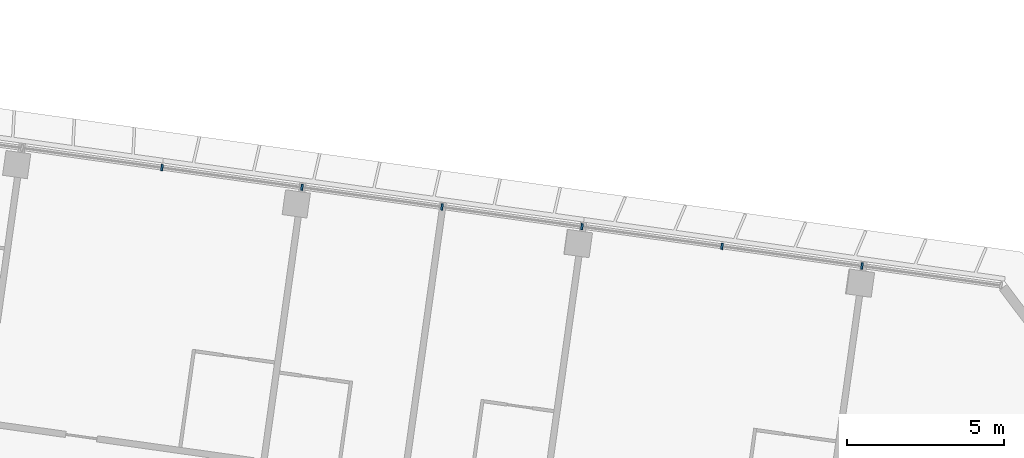
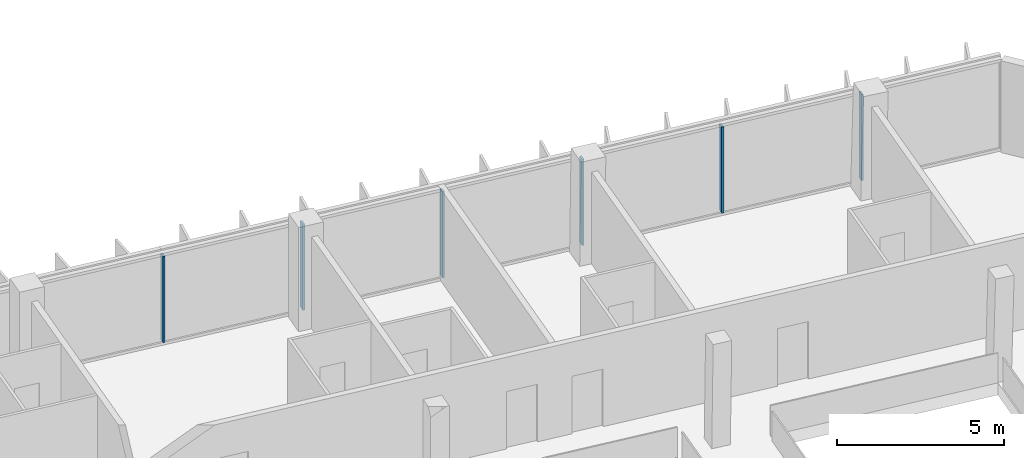
# One storey, part 5 of 28: 6 members, 1 element without a shape of its own.
"""IFC4 building model written with IfcOpenShell, lengths in metres."""

from ifc_helpers import new_model, si_unit, direction, frame, origin, origin_2d, place, context, subcontext, project, spatial, rectangle, extrude, material, material_profile, profile_set, type_object, element, aggregate, save


model = new_model("IFC4")

# Units and contexts
model_context = context("Model", 3, precision=1e-05, world=origin(), true_north=direction((0.0, 1.0)))
body_context = subcontext(model_context, "Body", "Model", "MODEL_VIEW")
ifc_project = project(units=[si_unit("LENGTHUNIT", "METRE"), si_unit("AREAUNIT", "SQUARE_METRE"), si_unit("VOLUMEUNIT", "CUBIC_METRE"), si_unit("PLANEANGLEUNIT", "RADIAN"), si_unit("MASSUNIT", "GRAM", prefix="KILO")], contexts=[model_context])

# Site, building, storey
site_placement = place(None, origin())
site = spatial("IfcSite", under=ifc_project, at=site_placement, CompositionType="ELEMENT")
building_placement = place(site_placement, origin())
building = spatial("IfcBuilding", under=site, at=building_placement, Name="Mirante Cascada Hotel Towers", CompositionType="ELEMENT")
storey_placement = place(building_placement, frame((0.0, 0.0, 165.0)))
storey = spatial("IfcBuildingStorey", under=building, at=storey_placement, Name="L38", CompositionType="ELEMENT", Elevation=165.0)

# Curtain wall, members
ifc_material_1 = material(Name="Aluminium mullion and transom frame with clear laminated glass", Category="aluminium")
curtain_wall_type = type_object("IfcCurtainWallType", Name="Ribbon curtain wall ECW1", PredefinedType="NOTDEFINED", material=ifc_material_1)
curtain_wall_placement = place(storey_placement, origin())
curtain_wall = element("IfcCurtainWall", 1, at=curtain_wall_placement, inside=storey, type_object=curtain_wall_type, Name="Front ribbon wall T1 L38", PredefinedType="NOTDEFINED")
ifc_material_2 = material(Name="Anodised aluminium extrusion", Category="aluminium")
ifc_material_profile = material_profile(ifc_material_2, rectangle(XDim=0.2, YDim=0.065, at=origin_2d()), Name="ECW1 MULLION 65x200")
ifc_profile_set = profile_set([ifc_material_profile], Name="Anodised aluminium extrusion")
member_type = type_object("IfcMemberType", Name="ECW1 mullion 65x200", PredefinedType="MULLION", material=ifc_profile_set)
member_1_placement = place(storey_placement, frame((-58.4696, 21.0364, 0.1), z_axis=(0.0, 0.0, 1.0), x_axis=(0.1391731, 0.9902681, 0.0)))
member_1 = element("IfcMember", 2, at=member_1_placement, type_object=member_type, Name="ECW1 mullion 7", PredefinedType="MULLION", context=body_context, shape_type="SweptSolid", body=[
    extrude(rectangle(XDim=0.2, YDim=0.065, at=origin_2d()), origin(), (0.0, 0.0, 1.0), 3.15),
])
member_2_placement = place(storey_placement, frame((-54.0069, 20.4092, 0.1), z_axis=(0.0, 0.0, 1.0), x_axis=(0.1391731, 0.9902681, 0.0)))
member_2 = element("IfcMember", 3, at=member_2_placement, type_object=member_type, Name="ECW1 mullion 8", PredefinedType="MULLION", context=body_context, shape_type="SweptSolid", body=[
    extrude(rectangle(XDim=0.2, YDim=0.065, at=origin_2d()), origin(), (0.0, 0.0, 1.0), 3.15),
])
member_3_placement = place(storey_placement, frame((-49.5442, 19.782, 0.1), z_axis=(0.0, 0.0, 1.0), x_axis=(0.1391731, 0.9902681, 0.0)))
member_3 = element("IfcMember", 4, at=member_3_placement, type_object=member_type, Name="ECW1 mullion 9", PredefinedType="MULLION", context=body_context, shape_type="SweptSolid", body=[
    extrude(rectangle(XDim=0.2, YDim=0.065, at=origin_2d()), origin(), (0.0, 0.0, 1.0), 3.15),
])
member_4_placement = place(storey_placement, frame((-45.0815, 19.1548, 0.1), z_axis=(0.0, 0.0, 1.0), x_axis=(0.1391731, 0.9902681, 0.0)))
member_4 = element("IfcMember", 5, at=member_4_placement, type_object=member_type, Name="ECW1 mullion 10", PredefinedType="MULLION", context=body_context, shape_type="SweptSolid", body=[
    extrude(rectangle(XDim=0.2, YDim=0.065, at=origin_2d()), origin(), (0.0, 0.0, 1.0), 3.15),
])
member_5_placement = place(storey_placement, frame((-40.6188, 18.5276, 0.1), z_axis=(0.0, 0.0, 1.0), x_axis=(0.1391731, 0.9902681, 0.0)))
member_5 = element("IfcMember", 6, at=member_5_placement, type_object=member_type, Name="ECW1 mullion 11", PredefinedType="MULLION", context=body_context, shape_type="SweptSolid", body=[
    extrude(rectangle(XDim=0.2, YDim=0.065, at=origin_2d()), origin(), (0.0, 0.0, 1.0), 3.15),
])
member_6_placement = place(storey_placement, frame((-36.1562, 17.9004, 0.1), z_axis=(0.0, 0.0, 1.0), x_axis=(0.1391731, 0.9902681, 0.0)))
member_6 = element("IfcMember", 7, at=member_6_placement, type_object=member_type, Name="ECW1 mullion 12", PredefinedType="MULLION", context=body_context, shape_type="SweptSolid", body=[
    extrude(rectangle(XDim=0.2, YDim=0.065, at=origin_2d()), origin(), (0.0, 0.0, 1.0), 3.15),
])
aggregate(curtain_wall, [member_1, member_2, member_3, member_4, member_5, member_6])

save(model, "model.ifc")
